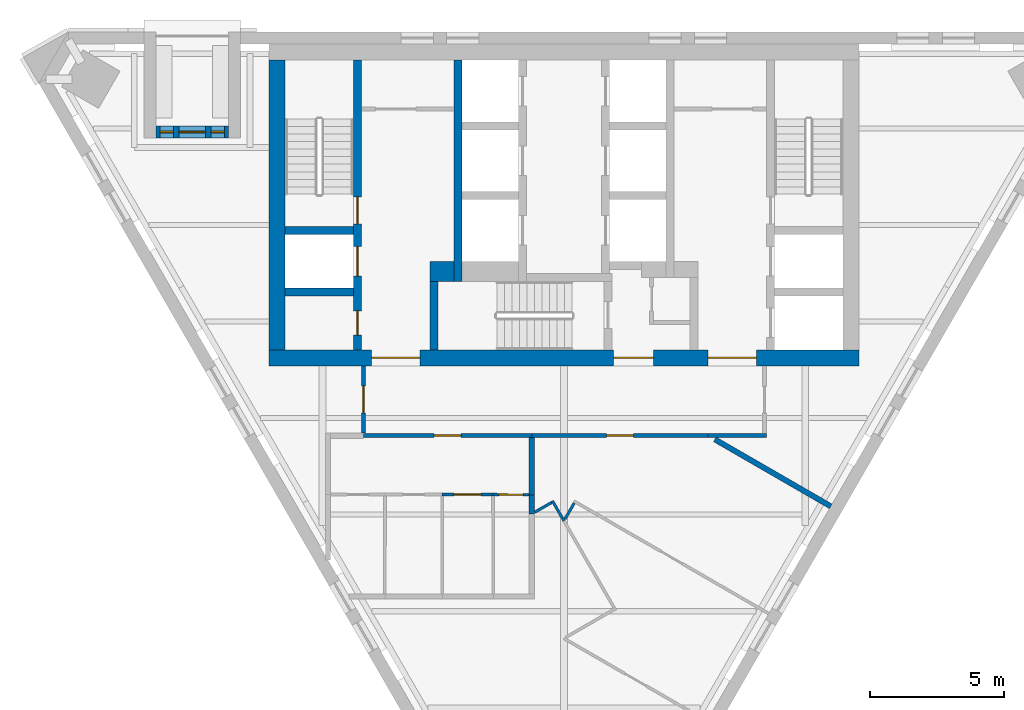
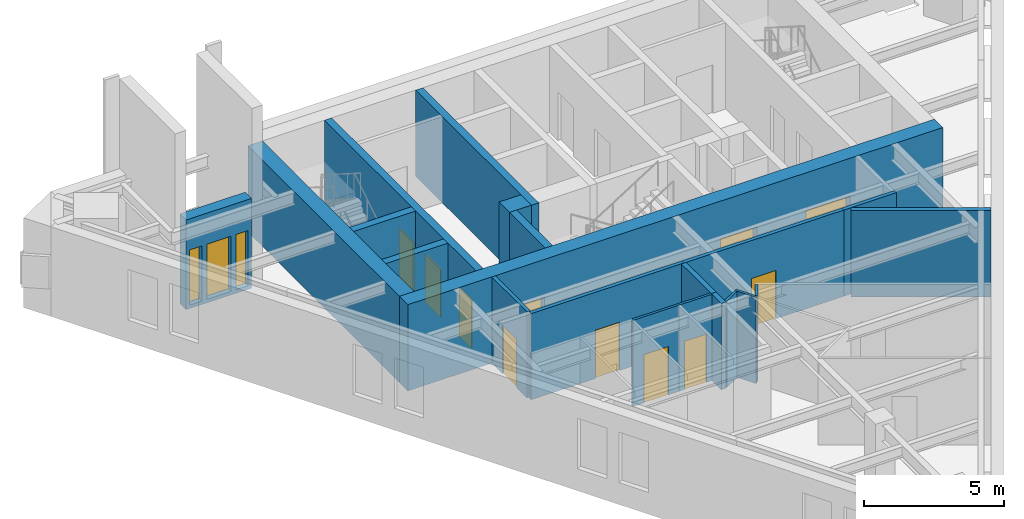
# One storey, part 3 of 6: 21 walls, 12 doors, 2 windows, 14 openings.
"""IFC4 building model written with IfcOpenShell, lengths in metres."""

from ifc_helpers import new_model, si_unit, direction, frame, frame_2d, origin, place, context, subcontext, project, spatial, rectangle, extrude, material, layer, layer_set, type_object, element, fill, save


model = new_model("IFC4")

# Units and contexts
model_context = context("Model", 3, precision=1e-05, world=origin(), true_north=direction((0.0, 1.0)))
body_context = subcontext(model_context, "Body", "Model", "MODEL_VIEW")
ifc_project = project(units=[si_unit("LENGTHUNIT", "METRE"), si_unit("AREAUNIT", "SQUARE_METRE"), si_unit("VOLUMEUNIT", "CUBIC_METRE"), si_unit("PLANEANGLEUNIT", "RADIAN"), si_unit("MASSUNIT", "GRAM", prefix="KILO")], contexts=[model_context])

# Site, building, storey
site_placement = place(None, origin())
site = spatial("IfcSite", under=ifc_project, at=site_placement, CompositionType="ELEMENT")
building_placement = place(site_placement, origin())
building = spatial("IfcBuilding", under=site, at=building_placement, Name="Aloe Facet Convention Tower", CompositionType="ELEMENT")
storey_placement = place(building_placement, frame((0.0, 0.0, 250.39990234375)))
storey = spatial("IfcBuildingStorey", under=building, at=storey_placement, Name="L61", CompositionType="ELEMENT", Elevation=250.39990234375)

# Walls
ifc_material_1 = material(Name="Concrete C50/60", Category="concrete")
ifc_layer_1 = layer(ifc_material_1, 0.300048828125)
ifc_layer_set_1 = layer_set([ifc_layer_1], Name="CR-W-RC300-C5060")
wall_type_1 = type_object("IfcWallType", Name="CR-W-RC300-C5060", PredefinedType="SOLIDWALL", material=ifc_layer_set_1)
for number, where, z_axis, x_axis, name in (
    (1, (69.60009765625, 127.60009765625, 0.0), (0.0, 0.0, 1.0), (1.0, 0.0, 0.0), "Core wall L61-004"),
    (2, (69.60009765625, 125.300048828125, 0.0), (0.0, 0.0, 1.0), (1.0, 0.0, 0.0), "Core wall L61-005"),
):
    element("IfcWall", number, at=place(storey_placement, frame(where, z_axis=z_axis, x_axis=x_axis)), inside=storey, type_object=wall_type_1, Name=name, PredefinedType="SOLIDWALL", context=body_context, shape_type="SweptSolid", body=[
        extrude(rectangle(XDim=2.5498046875, YDim=0.300048828125, at=frame_2d((1.27490234375, 0.0))), origin(), (0.0, 0.0, 1.0), 3.75),
    ])

# Wall, openings, doors
wall_1_placement = place(storey_placement, frame((72.300048828125, 133.949951171875, 0.0), z_axis=(0.0, 0.0, 1.0), x_axis=(0.0, -1.0, 0.0)))
wall_1 = element("IfcWall", 3, at=wall_1_placement, inside=storey, type_object=wall_type_1, Name="Core wall L61-006", PredefinedType="SOLIDWALL", context=body_context, shape_type="SweptSolid", body=[
    extrude(rectangle(XDim=10.800048828125, YDim=0.300048828125, at=frame_2d((5.39990234375, 0.0))), origin(), (0.0, 0.0, 1.0), 3.75),
])
opening_1_placement = place(wall_1_placement, frame((6.949951171875, 0.0, 0.0)))
opening_1 = element("IfcOpeningElement", 4, at=opening_1_placement, cuts=wall_1, Name="Opening LD-FF1-L61", PredefinedType="OPENING", context=body_context, shape_type="SweptSolid", body=[
    extrude(rectangle(XDim=1.10009765625, YDim=2.10009765625, at=frame_2d((0.550048828125, 1.050048828125))), frame((0.0, 0.16015625, 0.0), z_axis=(0.0, -1.0, 0.0), x_axis=(1.0, 0.0, 0.0)), (0.0, 0.0, 1.0), 0.320068359375),
])
opening_2_placement = place(wall_1_placement, frame((9.35009765625, 0.0, 0.0)))
opening_2 = element("IfcOpeningElement", 5, at=opening_2_placement, cuts=wall_1, Name="Opening L61-CD15", PredefinedType="OPENING", context=body_context, shape_type="SweptSolid", body=[
    extrude(rectangle(XDim=0.89990234375, YDim=2.10009765625, at=frame_2d((0.449951171875, 1.050048828125))), frame((0.0, 0.16015625, 0.0), z_axis=(0.0, -1.0, 0.0), x_axis=(1.0, 0.0, 0.0)), (0.0, 0.0, 1.0), 0.320068359375),
])
opening_3_placement = place(wall_1_placement, frame((5.10009765625, 0.0, 0.0)))
opening_3 = element("IfcOpeningElement", 6, at=opening_3_placement, cuts=wall_1, Name="Opening L61-CD16", PredefinedType="OPENING", context=body_context, shape_type="SweptSolid", body=[
    extrude(rectangle(XDim=1.0, YDim=2.10009765625, at=frame_2d((0.5, 1.050048828125))), frame((0.0, 0.16015625, 0.0), z_axis=(0.0, -1.0, 0.0), x_axis=(1.0, 0.0, 0.0)), (0.0, 0.0, 1.0), 0.320068359375),
])
ifc_material_2 = material(Name="Steel fire-resisting door set FD60", Category="steel")
door_type_1 = type_object("IfcDoorType", Name="CR-D-ROOM-900-FD60-SLEFT", OperationType="SINGLE_SWING_LEFT", PredefinedType="DOOR", material=ifc_material_2)
door_1_placement = place(opening_2_placement, origin())
door_1 = element("IfcDoor", 7, at=door_1_placement, inside=storey, type_object=door_type_1, Name="Core door L61-CD15", OperationType="SINGLE_SWING_LEFT", OverallHeight=2.10009765625, OverallWidth=0.89990234375, PredefinedType="DOOR", context=body_context, shape_type="SweptSolid", body=[
    extrude(rectangle(XDim=0.89990234375, YDim=2.10009765625, at=frame_2d((0.449951171875, 1.050048828125))), frame((0.0, 0.02490234375, 0.0), z_axis=(0.0, -1.0, 0.0), x_axis=(1.0, 0.0, 0.0)), (0.0, 0.0, 1.0), 0.050048828125),
])
fill(opening_2, door_1)
ifc_material_3 = material(Name="Steel fire-resisting door set FD120", Category="steel")
door_type_2 = type_object("IfcDoorType", Name="CR-D-STAIR-1000-FD120-SRIGHT", OperationType="SINGLE_SWING_RIGHT", PredefinedType="DOOR", material=ifc_material_3)
door_2_placement = place(opening_3_placement, origin())
door_2 = element("IfcDoor", 8, at=door_2_placement, inside=storey, type_object=door_type_2, Name="Core door L61-CD16", OperationType="SINGLE_SWING_RIGHT", OverallHeight=2.10009765625, OverallWidth=1.0, PredefinedType="DOOR", context=body_context, shape_type="SweptSolid", body=[
    extrude(rectangle(XDim=1.0, YDim=2.10009765625, at=frame_2d((0.5, 1.050048828125))), frame((0.0, 0.02490234375, 0.0), z_axis=(0.0, -1.0, 0.0), x_axis=(1.0, 0.0, 0.0)), (0.0, 0.0, 1.0), 0.050048828125),
])
fill(opening_3, door_2)
ifc_material_4 = material(Name="Stainless steel sliding landing door", Category="steel")
door_type_3 = type_object("IfcDoorType", Name="CR-LD-1100-FD120-_LEFT", OperationType="SLIDING_TO_LEFT", PredefinedType="DOOR", material=ifc_material_4)
door_3_placement = place(opening_1_placement, origin())
door_3 = element("IfcDoor", 9, at=door_3_placement, inside=storey, type_object=door_type_3, Name="Landing door FF1 L61", OperationType="SLIDING_TO_LEFT", OverallHeight=2.10009765625, OverallWidth=1.10009765625, PredefinedType="DOOR", context=body_context, shape_type="SweptSolid", body=[
    extrude(rectangle(XDim=1.10009765625, YDim=2.10009765625, at=frame_2d((0.550048828125, 1.050048828125))), frame((0.0, 0.02490234375, 0.0), z_axis=(0.0, -1.0, 0.0), x_axis=(1.0, 0.0, 0.0)), (0.0, 0.0, 1.0), 0.050048828125),
])
fill(opening_1, door_3)

# Walls
wall_2_placement = place(storey_placement, frame((75.14990234375, 125.699951171875, 0.0), z_axis=(0.0, 0.0, 1.0), x_axis=(0.0, -1.0, 0.0)))
element("IfcWall", 10, at=wall_2_placement, inside=storey, type_object=wall_type_1, Name="Core wall L61-009", PredefinedType="SOLIDWALL", context=body_context, shape_type="SweptSolid", body=[
    extrude(rectangle(XDim=2.550048828125, YDim=0.300048828125, at=frame_2d((1.27490234375, 0.0))), origin(), (0.0, 0.0, 1.0), 3.75),
])
wall_3_placement = place(storey_placement, frame((76.050048828125, 133.949951171875, 0.0), z_axis=(0.0, 0.0, 1.0), x_axis=(0.0, -1.0, 0.0)))
element("IfcWall", 11, at=wall_3_placement, inside=storey, type_object=wall_type_1, Name="Core wall L61-010", PredefinedType="SOLIDWALL", context=body_context, shape_type="SweptSolid", body=[
    extrude(rectangle(XDim=8.25, YDim=0.300048828125, at=frame_2d((4.125, 0.0))), origin(), (0.0, 0.0, 1.0), 3.75),
])
ifc_material_5 = material(Name="Concrete C50/60", Category="concrete")
ifc_layer_2 = layer(ifc_material_5, 0.60009765625)
ifc_layer_set_2 = layer_set([ifc_layer_2], Name="CR-W-RC600-C5060")
wall_type_2 = type_object("IfcWallType", Name="CR-W-RC600-C5060", PredefinedType="SOLIDWALL", material=ifc_layer_set_2)
wall_4_placement = place(storey_placement, frame((69.300048828125, 133.949951171875, 0.0), z_axis=(0.0, 0.0, 1.0), x_axis=(0.0, -1.0, 0.0)))
element("IfcWall", 12, at=wall_4_placement, inside=storey, type_object=wall_type_2, Name="Core wall L61-002", PredefinedType="SOLIDWALL", context=body_context, shape_type="SweptSolid", body=[
    extrude(rectangle(XDim=10.800048828125, YDim=0.60009765625, at=frame_2d((5.39990234375, 0.0))), origin(), (0.0, 0.0, 1.0), 3.75),
])

# Wall, openings, doors
wall_5_placement = place(storey_placement, frame((69.0, 122.85009765625, 0.0), z_axis=(0.0, 0.0, 1.0), x_axis=(1.0, 0.0, 0.0)))
wall_5 = element("IfcWall", 13, at=wall_5_placement, inside=storey, type_object=wall_type_2, Name="Core wall L61-003", PredefinedType="SOLIDWALL", context=body_context, shape_type="SweptSolid", body=[
    extrude(rectangle(XDim=22.0, YDim=0.60009765625, at=frame_2d((11.0, 0.0))), origin(), (0.0, 0.0, 1.0), 3.75),
])
opening_4_placement = place(wall_5_placement, frame((16.375, 0.0, 0.0)))
opening_4 = element("IfcOpeningElement", 14, at=opening_4_placement, cuts=wall_5, Name="Opening L61-CD09", PredefinedType="OPENING", context=body_context, shape_type="SweptSolid", body=[
    extrude(rectangle(XDim=1.800048828125, YDim=2.10009765625, at=frame_2d((0.89990234375, 1.050048828125))), frame((0.0, 0.31005859375, 0.0), z_axis=(0.0, -1.0, 0.0), x_axis=(1.0, 0.0, 0.0)), (0.0, 0.0, 1.0), 0.6201171875),
])
opening_5_placement = place(wall_5_placement, frame((3.824951171875, 0.0, 0.0)))
opening_5 = element("IfcOpeningElement", 15, at=opening_5_placement, cuts=wall_5, Name="Opening L61-CD10", PredefinedType="OPENING", context=body_context, shape_type="SweptSolid", body=[
    extrude(rectangle(XDim=1.800048828125, YDim=2.10009765625, at=frame_2d((0.89990234375, 1.050048828125))), frame((0.0, 0.31005859375, 0.0), z_axis=(0.0, -1.0, 0.0), x_axis=(1.0, 0.0, 0.0)), (0.0, 0.0, 1.0), 0.6201171875),
])
opening_6_placement = place(wall_5_placement, frame((12.85009765625, 0.0, 0.0)))
opening_6 = element("IfcOpeningElement", 16, at=opening_6_placement, cuts=wall_5, Name="Opening L61-CD11", PredefinedType="OPENING", context=body_context, shape_type="SweptSolid", body=[
    extrude(rectangle(XDim=1.5, YDim=2.10009765625, at=frame_2d((0.75, 1.050048828125))), frame((0.0, 0.31005859375, 0.0), z_axis=(0.0, -1.0, 0.0), x_axis=(1.0, 0.0, 0.0)), (0.0, 0.0, 1.0), 0.6201171875),
])
ifc_material_6 = material(Name="Steel fire-resisting door set FD60", Category="steel")
door_type_4 = type_object("IfcDoorType", Name="CR-D-EXIT-1500-FD60-DD", OperationType="DOUBLE_DOOR_DOUBLE_SWING", PredefinedType="DOOR", material=ifc_material_6)
door_4_placement = place(opening_6_placement, origin())
door_4 = element("IfcDoor", 17, at=door_4_placement, inside=storey, type_object=door_type_4, Name="Core door L61-CD11", OperationType="DOUBLE_DOOR_DOUBLE_SWING", OverallHeight=2.10009765625, OverallWidth=1.5, PredefinedType="DOOR", context=body_context, shape_type="SweptSolid", body=[
    extrude(rectangle(XDim=1.5, YDim=2.10009765625, at=frame_2d((0.75, 1.050048828125))), frame((0.0, 0.02490234375, 0.0), z_axis=(0.0, -1.0, 0.0), x_axis=(1.0, 0.0, 0.0)), (0.0, 0.0, 1.0), 0.050048828125),
])
fill(opening_6, door_4)
ifc_material_7 = material(Name="Steel fire-resisting door set FD120", Category="steel")
door_type_5 = type_object("IfcDoorType", Name="CR-D-EXIT-1800-FD120-DD", OperationType="DOUBLE_DOOR_DOUBLE_SWING", PredefinedType="DOOR", material=ifc_material_7)
door_5_placement = place(opening_4_placement, origin())
door_5 = element("IfcDoor", 18, at=door_5_placement, inside=storey, type_object=door_type_5, Name="Core door L61-CD09", OperationType="DOUBLE_DOOR_DOUBLE_SWING", OverallHeight=2.10009765625, OverallWidth=1.800048828125, PredefinedType="DOOR", context=body_context, shape_type="SweptSolid", body=[
    extrude(rectangle(XDim=1.800048828125, YDim=2.10009765625, at=frame_2d((0.89990234375, 1.050048828125))), frame((0.0, 0.02490234375, 0.0), z_axis=(0.0, -1.0, 0.0), x_axis=(1.0, 0.0, 0.0)), (0.0, 0.0, 1.0), 0.050048828125),
])
fill(opening_4, door_5)
door_6_placement = place(opening_5_placement, origin())
door_6 = element("IfcDoor", 19, at=door_6_placement, inside=storey, type_object=door_type_5, Name="Core door L61-CD10", OperationType="DOUBLE_DOOR_DOUBLE_SWING", OverallHeight=2.10009765625, OverallWidth=1.800048828125, PredefinedType="DOOR", context=body_context, shape_type="SweptSolid", body=[
    extrude(rectangle(XDim=1.800048828125, YDim=2.10009765625, at=frame_2d((0.89990234375, 1.050048828125))), frame((0.0, 0.02490234375, 0.0), z_axis=(0.0, -1.0, 0.0), x_axis=(1.0, 0.0, 0.0)), (0.0, 0.0, 1.0), 0.050048828125),
])
fill(opening_5, door_6)

# Wall
ifc_material_8 = material(Name="Concrete C50/60", Category="concrete")
ifc_layer_3 = layer(ifc_material_8, 0.75)
ifc_layer_set_3 = layer_set([ifc_layer_3], Name="CR-W-RC750-C5060")
wall_type_3 = type_object("IfcWallType", Name="CR-W-RC750-C5060", PredefinedType="SOLIDWALL", material=ifc_layer_set_3)
wall_6_placement = place(storey_placement, frame((75.0, 126.074951171875, 0.0), z_axis=(0.0, 0.0, 1.0), x_axis=(1.0, 0.0, 0.0)))
element("IfcWall", 20, at=wall_6_placement, inside=storey, type_object=wall_type_3, Name="Core wall L61-008", PredefinedType="SOLIDWALL", context=body_context, shape_type="SweptSolid", body=[
    extrude(rectangle(XDim=0.89990234375, YDim=0.75, at=frame_2d((0.449951171875, 0.0))), origin(), (0.0, 0.0, 1.0), 3.75),
])

# Wall, openings, door, windows
ifc_material_9 = material(Name="Precast concrete C40/50", Category="concrete")
ifc_layer_4 = layer(ifc_material_9, 0.449951171875)
ifc_layer_set_4 = layer_set([ifc_layer_4], Name="EV-WALL-STONE")
wall_type_4 = type_object("IfcWallType", Name="EV-WALL-STONE", PredefinedType="SOLIDWALL", material=ifc_layer_set_4)
wall_7_placement = place(storey_placement, frame((67.4853515625, 131.27490234375, -0.14990234375), z_axis=(0.0, 0.0, 1.0), x_axis=(-1.0, 0.0, 0.0)))
wall_7 = element("IfcWall", 21, at=wall_7_placement, inside=storey, type_object=wall_type_4, Name="TB-T13-L61", PredefinedType="SOLIDWALL", context=body_context, shape_type="SweptSolid", body=[
    extrude(rectangle(XDim=2.699951171875, YDim=0.449951171875, at=frame_2d((1.35009765625, 0.0))), origin(), (0.0, 0.0, 1.0), 3.89990234375),
])
opening_7_placement = place(wall_7_placement, frame((0.85009765625, 0.0, 0.14990234375)))
opening_7 = element("IfcOpeningElement", 22, at=opening_7_placement, cuts=wall_7, Name="Opening D-T13", PredefinedType="OPENING", context=body_context, shape_type="SweptSolid", body=[
    extrude(rectangle(XDim=1.0, YDim=2.39990234375, at=frame_2d((0.5, 1.199951171875))), frame((0.0, 0.23486328125, 0.0), z_axis=(0.0, -1.0, 0.0), x_axis=(1.0, 0.0, 0.0)), (0.0, 0.0, 1.0), 0.469970703125),
])
opening_8_placement = place(wall_7_placement, frame((0.14990234375, 0.0, 0.14990234375)))
opening_8 = element("IfcOpeningElement", 23, at=opening_8_placement, cuts=wall_7, Name="Opening G-T13-1", PredefinedType="OPENING", context=body_context, shape_type="SweptSolid", body=[
    extrude(rectangle(XDim=0.5, YDim=2.39990234375, at=frame_2d((0.25, 1.199951171875))), frame((0.0, 0.23486328125, 0.0), z_axis=(0.0, -1.0, 0.0), x_axis=(1.0, 0.0, 0.0)), (0.0, 0.0, 1.0), 0.469970703125),
])
opening_9_placement = place(wall_7_placement, frame((2.050048828125, 0.0, 0.14990234375)))
opening_9 = element("IfcOpeningElement", 24, at=opening_9_placement, cuts=wall_7, Name="Opening G-T13-2", PredefinedType="OPENING", context=body_context, shape_type="SweptSolid", body=[
    extrude(rectangle(XDim=0.5, YDim=2.39990234375, at=frame_2d((0.25, 1.199951171875))), frame((0.0, 0.23486328125, 0.0), z_axis=(0.0, -1.0, 0.0), x_axis=(1.0, 0.0, 0.0)), (0.0, 0.0, 1.0), 0.469970703125),
])
ifc_material_10 = material(Name="Aluminium frame, clear double glazing", Category="aluminium")
door_type_6 = type_object("IfcDoorType", Name="EV-DOOR-TERR", OperationType="SINGLE_SWING_LEFT", PredefinedType="DOOR", material=ifc_material_10)
door_7_placement = place(opening_7_placement, origin())
door_7 = element("IfcDoor", 25, at=door_7_placement, inside=storey, type_object=door_type_6, Name="D-T13", OperationType="SINGLE_SWING_LEFT", OverallHeight=2.39990234375, OverallWidth=1.0, PredefinedType="DOOR", context=body_context, shape_type="SweptSolid", body=[
    extrude(rectangle(XDim=1.0, YDim=2.39990234375, at=frame_2d((0.5, 1.199951171875))), frame((0.0, 0.02490234375, 0.0), z_axis=(0.0, -1.0, 0.0), x_axis=(1.0, 0.0, 0.0)), (0.0, 0.0, 1.0), 0.050048828125),
])
fill(opening_7, door_7)
ifc_material_11 = material(Name="Aluminium frame, clear double glazing", Category="aluminium")
window_type = type_object("IfcWindowType", Name="EV-WIN-SL50", PartitioningType="SINGLE_PANEL", PredefinedType="WINDOW", material=ifc_material_11)
window_1_placement = place(opening_8_placement, origin())
window_1 = element("IfcWindow", 26, at=window_1_placement, inside=storey, type_object=window_type, Name="G-T13-1", OverallHeight=2.39990234375, OverallWidth=0.5, PartitioningType="SINGLE_PANEL", PredefinedType="WINDOW", context=body_context, shape_type="SweptSolid", body=[
    extrude(rectangle(XDim=0.5, YDim=2.39990234375, at=frame_2d((0.25, 1.199951171875))), frame((0.0, 0.030029296875, 0.0), z_axis=(0.0, -1.0, 0.0), x_axis=(1.0, 0.0, 0.0)), (0.0, 0.0, 1.0), 0.06005859375),
])
fill(opening_8, window_1)
window_2_placement = place(opening_9_placement, origin())
window_2 = element("IfcWindow", 27, at=window_2_placement, inside=storey, type_object=window_type, Name="G-T13-2", OverallHeight=2.39990234375, OverallWidth=0.5, PartitioningType="SINGLE_PANEL", PredefinedType="WINDOW", context=body_context, shape_type="SweptSolid", body=[
    extrude(rectangle(XDim=0.5, YDim=2.39990234375, at=frame_2d((0.25, 1.199951171875))), frame((0.0, 0.030029296875, 0.0), z_axis=(0.0, -1.0, 0.0), x_axis=(1.0, 0.0, 0.0)), (0.0, 0.0, 1.0), 0.06005859375),
])
fill(opening_9, window_2)

# Wall, opening, door
ifc_material_12 = material(Name="Gypsum board partition on steel studs", Category="steel")
ifc_layer_5 = layer(ifc_material_12, 0.14990234375)
ifc_layer_set_5 = layer_set([ifc_layer_5], Name="IN-W-CORR")
wall_type_5 = type_object("IfcWallType", Name="IN-W-CORR", PredefinedType="PARTITIONING", material=ifc_layer_set_5)
wall_8_placement = place(storey_placement, frame((72.52490234375, 120.050048828125, 0.0), z_axis=(0.0, 0.0, 1.0), x_axis=(0.0, 1.0, 0.0)))
wall_8 = element("IfcWall", 28, at=wall_8_placement, inside=storey, type_object=wall_type_5, Name="Partition L61-W026", PredefinedType="PARTITIONING", context=body_context, shape_type="SweptSolid", body=[
    extrude(rectangle(XDim=2.5, YDim=0.14990234375, at=frame_2d((1.25, 0.0))), origin(), (0.0, 0.0, 1.0), 3.75),
])
opening_10_placement = place(wall_8_placement, frame((0.75, 0.0, 0.0)))
opening_10 = element("IfcOpeningElement", 29, at=opening_10_placement, cuts=wall_8, Name="Opening L61-006", PredefinedType="OPENING", context=body_context, shape_type="SweptSolid", body=[
    extrude(rectangle(XDim=1.0, YDim=2.10009765625, at=frame_2d((0.5, 1.050048828125))), frame((0.0, 0.0849609375, 0.0), z_axis=(0.0, -1.0, 0.0), x_axis=(1.0, 0.0, 0.0)), (0.0, 0.0, 1.0), 0.169921875),
])
ifc_material_13 = material(Name="Timber door FD30S with vision panel", Category="wood")
door_type_7 = type_object("IfcDoorType", Name="IN-OFF-D-ENTRY", OperationType="SINGLE_SWING_LEFT", PredefinedType="DOOR", material=ifc_material_13)
door_8_placement = place(opening_10_placement, origin())
door_8 = element("IfcDoor", 30, at=door_8_placement, inside=storey, type_object=door_type_7, Name="Door L61-006", OperationType="SINGLE_SWING_LEFT", OverallHeight=2.10009765625, OverallWidth=1.0, PredefinedType="DOOR", context=body_context, shape_type="SweptSolid", body=[
    extrude(rectangle(XDim=1.0, YDim=2.10009765625, at=frame_2d((0.5, 1.050048828125))), frame((0.0, 0.02490234375, 0.0), z_axis=(0.0, -1.0, 0.0), x_axis=(1.0, 0.0, 0.0)), (0.0, 0.0, 1.0), 0.050048828125),
])
fill(opening_10, door_8)

wall_9_placement = place(storey_placement, frame((72.52490234375, 119.949951171875, 0.0), z_axis=(0.0, 0.0, 1.0), x_axis=(1.0, 0.0, 0.0)))
wall_9 = element("IfcWall", 31, at=wall_9_placement, inside=storey, type_object=wall_type_5, Name="Partition L61-W027", PredefinedType="PARTITIONING", context=body_context, shape_type="SweptSolid", body=[
    extrude(rectangle(XDim=6.275146484375, YDim=0.14990234375, at=frame_2d((3.1376953125, 0.0))), origin(), (0.0, 0.0, 1.0), 3.75),
])
opening_11_placement = place(wall_9_placement, frame((2.637451171875, 0.0, 0.0)))
opening_11 = element("IfcOpeningElement", 32, at=opening_11_placement, cuts=wall_9, Name="Opening L61-001", PredefinedType="OPENING", context=body_context, shape_type="SweptSolid", body=[
    extrude(rectangle(XDim=1.0, YDim=2.10009765625, at=frame_2d((0.5, 1.050048828125))), frame((0.0, 0.0849609375, 0.0), z_axis=(0.0, -1.0, 0.0), x_axis=(1.0, 0.0, 0.0)), (0.0, 0.0, 1.0), 0.169921875),
])
door_9_placement = place(opening_11_placement, origin())
door_9 = element("IfcDoor", 33, at=door_9_placement, inside=storey, type_object=door_type_7, Name="Door L61-001", OperationType="SINGLE_SWING_LEFT", OverallHeight=2.10009765625, OverallWidth=1.0, PredefinedType="DOOR", context=body_context, shape_type="SweptSolid", body=[
    extrude(rectangle(XDim=1.0, YDim=2.10009765625, at=frame_2d((0.5, 1.050048828125))), frame((0.0, 0.02490234375, 0.0), z_axis=(0.0, -1.0, 0.0), x_axis=(1.0, 0.0, 0.0)), (0.0, 0.0, 1.0), 0.050048828125),
])
fill(opening_11, door_9)

wall_10_placement = place(storey_placement, frame((78.800048828125, 119.949951171875, 0.0), z_axis=(0.0, 0.0, 1.0), x_axis=(1.0, 0.0, 0.0)))
wall_10 = element("IfcWall", 34, at=wall_10_placement, inside=storey, type_object=wall_type_5, Name="Partition L61-W028", PredefinedType="PARTITIONING", context=body_context, shape_type="SweptSolid", body=[
    extrude(rectangle(XDim=6.581298828125, YDim=0.14990234375, at=frame_2d((3.29052734375, 0.0))), origin(), (0.0, 0.0, 1.0), 3.75),
])
opening_12_placement = place(wall_10_placement, frame((2.79052734375, 0.0, 0.0)))
opening_12 = element("IfcOpeningElement", 35, at=opening_12_placement, cuts=wall_10, Name="Opening L61-009", PredefinedType="OPENING", context=body_context, shape_type="SweptSolid", body=[
    extrude(rectangle(XDim=1.0, YDim=2.10009765625, at=frame_2d((0.5, 1.050048828125))), frame((0.0, 0.0849609375, 0.0), z_axis=(0.0, -1.0, 0.0), x_axis=(1.0, 0.0, 0.0)), (0.0, 0.0, 1.0), 0.169921875),
])
door_10_placement = place(opening_12_placement, origin())
door_10 = element("IfcDoor", 36, at=door_10_placement, inside=storey, type_object=door_type_7, Name="Door L61-009", OperationType="SINGLE_SWING_LEFT", OverallHeight=2.10009765625, OverallWidth=1.0, PredefinedType="DOOR", context=body_context, shape_type="SweptSolid", body=[
    extrude(rectangle(XDim=1.0, YDim=2.10009765625, at=frame_2d((0.5, 1.050048828125))), frame((0.0, 0.02490234375, 0.0), z_axis=(0.0, -1.0, 0.0), x_axis=(1.0, 0.0, 0.0)), (0.0, 0.0, 1.0), 0.050048828125),
])
fill(opening_12, door_10)

# Walls
wall_11_placement = place(storey_placement, frame((85.38134765625, 119.949951171875, 0.0), z_axis=(0.0, 0.0, 1.0), x_axis=(1.0, 0.0, 0.0)))
element("IfcWall", 37, at=wall_11_placement, inside=storey, type_object=wall_type_5, Name="Partition L61-W029", PredefinedType="PARTITIONING", context=body_context, shape_type="SweptSolid", body=[
    extrude(rectangle(XDim=2.168701171875, YDim=0.14990234375, at=frame_2d((1.08447265625, 0.0))), origin(), (0.0, 0.0, 1.0), 3.75),
])
ifc_material_14 = material(Name="Gypsum board partition on steel studs", Category="steel")
ifc_layer_6 = layer(ifc_material_14, 0.10009765625)
ifc_layer_set_6 = layer_set([ifc_layer_6], Name="IN-W-PART")
wall_type_6 = type_object("IfcWallType", Name="IN-W-PART", PredefinedType="PARTITIONING", material=ifc_layer_set_6)
wall_12_placement = place(storey_placement, frame((79.56982421875, 117.515869140625, 0.0), z_axis=(0.0, 0.0, 1.0), x_axis=(0.499861615673, -0.866105285272, 0.0)))
element("IfcWall", 38, at=wall_12_placement, inside=storey, type_object=wall_type_6, Name="Partition L61-W010", PredefinedType="PARTITIONING", context=body_context, shape_type="SweptSolid", body=[
    extrude(rectangle(XDim=0.860595703125, YDim=0.10009765625, at=frame_2d((0.43017578125, 0.0))), origin(), (0.0, 0.0, 1.0), 3.75),
])
wall_13_placement = place(storey_placement, frame((80.040283203125, 116.839599609375, 0.0), z_axis=(0.0, 0.0, 1.0), x_axis=(0.501867975937, 0.86494423793, 0.0)))
element("IfcWall", 39, at=wall_13_placement, inside=storey, type_object=wall_type_6, Name="Partition L61-W013", PredefinedType="PARTITIONING", context=body_context, shape_type="SweptSolid", body=[
    extrude(rectangle(XDim=0.6826171875, YDim=0.10009765625, at=frame_2d((0.34130859375, 0.0))), origin(), (0.0, 0.0, 1.0), 3.75),
])
wall_14_placement = place(storey_placement, frame((78.912841796875, 117.09228515625, 0.0), z_axis=(0.0, 0.0, 1.0), x_axis=(0.867068692485, 0.498188601347, 0.0)))
element("IfcWall", 40, at=wall_14_placement, inside=storey, type_object=wall_type_6, Name="Partition L61-W014", PredefinedType="PARTITIONING", context=body_context, shape_type="SweptSolid", body=[
    extrude(rectangle(XDim=0.730712890625, YDim=0.10009765625, at=frame_2d((0.365234375, 0.0))), origin(), (0.0, 0.0, 1.0), 3.75),
])

# Wall, opening, door
wall_15_placement = place(storey_placement, frame((75.4560546875, 117.75, 0.0), z_axis=(0.0, 0.0, 1.0), x_axis=(1.0, 0.0, 0.0)))
wall_15 = element("IfcWall", 41, at=wall_15_placement, inside=storey, type_object=wall_type_6, Name="Partition L61-W021", PredefinedType="PARTITIONING", context=body_context, shape_type="SweptSolid", body=[
    extrude(rectangle(XDim=1.89990234375, YDim=0.10009765625, at=frame_2d((0.949951171875, 0.0))), origin(), (0.0, 0.0, 1.0), 3.75),
])
opening_13_placement = place(wall_15_placement, frame((0.449951171875, 0.0, 0.0)))
opening_13 = element("IfcOpeningElement", 42, at=opening_13_placement, cuts=wall_15, Name="Opening L61-004", PredefinedType="OPENING", context=body_context, shape_type="SweptSolid", body=[
    extrude(rectangle(XDim=1.0, YDim=2.10009765625, at=frame_2d((0.5, 1.050048828125))), frame((0.0, 0.06005859375, 0.0), z_axis=(0.0, -1.0, 0.0), x_axis=(1.0, 0.0, 0.0)), (0.0, 0.0, 1.0), 0.1201171875),
])
ifc_material_15 = material(Name="Timber door", Category="wood")
door_type_8 = type_object("IfcDoorType", Name="IN-OFF-D-WIDE", OperationType="SINGLE_SWING_LEFT", PredefinedType="DOOR", material=ifc_material_15)
door_11_placement = place(opening_13_placement, origin())
door_11 = element("IfcDoor", 43, at=door_11_placement, inside=storey, type_object=door_type_8, Name="Door L61-004", OperationType="SINGLE_SWING_LEFT", OverallHeight=2.10009765625, OverallWidth=1.0, PredefinedType="DOOR", context=body_context, shape_type="SweptSolid", body=[
    extrude(rectangle(XDim=1.0, YDim=2.10009765625, at=frame_2d((0.5, 1.050048828125))), frame((0.0, 0.02490234375, 0.0), z_axis=(0.0, -1.0, 0.0), x_axis=(1.0, 0.0, 0.0)), (0.0, 0.0, 1.0), 0.050048828125),
])
fill(opening_13, door_11)

wall_16_placement = place(storey_placement, frame((77.35595703125, 117.75, 0.0), z_axis=(0.0, 0.0, 1.0), x_axis=(0.99997617642, -0.006902651172, 0.0)))
wall_16 = element("IfcWall", 44, at=wall_16_placement, inside=storey, type_object=wall_type_6, Name="Partition L61-W022", PredefinedType="PARTITIONING", context=body_context, shape_type="SweptSolid", body=[
    extrude(rectangle(XDim=1.343994140625, YDim=0.10009765625, at=frame_2d((0.671875, 0.0))), origin(), (0.0, 0.0, 1.0), 3.75),
])
opening_14_placement = place(wall_16_placement, frame((0.221923828125, 0.0, 0.0)))
opening_14 = element("IfcOpeningElement", 45, at=opening_14_placement, cuts=wall_16, Name="Opening L61-005", PredefinedType="OPENING", context=body_context, shape_type="SweptSolid", body=[
    extrude(rectangle(XDim=0.89990234375, YDim=2.10009765625, at=frame_2d((0.449951171875, 1.050048828125))), frame((0.0, 0.06005859375, 0.0), z_axis=(0.0, -1.0, 0.0), x_axis=(1.0, 0.0, 0.0)), (0.0, 0.0, 1.0), 0.1201171875),
])
ifc_material_16 = material(Name="Timber door", Category="wood")
door_type_9 = type_object("IfcDoorType", Name="IN-OFF-D-ROOM", OperationType="SINGLE_SWING_LEFT", PredefinedType="DOOR", material=ifc_material_16)
door_12_placement = place(opening_14_placement, origin())
door_12 = element("IfcDoor", 46, at=door_12_placement, inside=storey, type_object=door_type_9, Name="Door L61-005", OperationType="SINGLE_SWING_LEFT", OverallHeight=2.10009765625, OverallWidth=0.89990234375, PredefinedType="DOOR", context=body_context, shape_type="SweptSolid", body=[
    extrude(rectangle(XDim=0.89990234375, YDim=2.10009765625, at=frame_2d((0.449951171875, 1.050048828125))), frame((0.0, 0.02490234375, 0.0), z_axis=(0.0, -1.0, 0.0), x_axis=(1.0, 0.0, 0.0)), (0.0, 0.0, 1.0), 0.050048828125),
])
fill(opening_14, door_12)

# Walls
ifc_material_17 = material(Name="Gypsum board partition on steel studs", Category="steel")
ifc_layer_7 = layer(ifc_material_17, 0.199951171875)
ifc_layer_set_7 = layer_set([ifc_layer_7], Name="IN-W-PARTY")
wall_type_7 = type_object("IfcWallType", Name="IN-W-PARTY", PredefinedType="PARTITIONING", material=ifc_layer_set_7)
wall_17_placement = place(storey_placement, frame((78.800048828125, 117.02734375, 0.0), z_axis=(0.0, 0.0, 1.0), x_axis=(0.0, 1.0, 0.0)))
element("IfcWall", 47, at=wall_17_placement, inside=storey, type_object=wall_type_7, Name="Partition L61-W011", PredefinedType="PARTITIONING", context=body_context, shape_type="SweptSolid", body=[
    extrude(rectangle(XDim=0.712646484375, YDim=0.199951171875, at=frame_2d((0.3564453125, 0.0))), origin(), (0.0, 0.0, 1.0), 3.75),
])
wall_18_placement = place(storey_placement, frame((85.628173828125, 119.807373046875, 0.0), z_axis=(0.0, 0.0, 1.0), x_axis=(0.866032544947, -0.499987630939, 0.0)))
element("IfcWall", 48, at=wall_18_placement, inside=storey, type_object=wall_type_7, Name="Partition L61-W012", PredefinedType="PARTITIONING", context=body_context, shape_type="SweptSolid", body=[
    extrude(rectangle(XDim=4.994384765625, YDim=0.199951171875, at=frame_2d((2.4970703125, 0.0))), origin(), (0.0, 0.0, 1.0), 3.75),
])
wall_19_placement = place(storey_placement, frame((78.800048828125, 117.739990234375, 0.0), z_axis=(0.0, 0.0, 1.0), x_axis=(0.0, 1.0, 0.0)))
element("IfcWall", 49, at=wall_19_placement, inside=storey, type_object=wall_type_7, Name="Partition L61-W015", PredefinedType="PARTITIONING", context=body_context, shape_type="SweptSolid", body=[
    extrude(rectangle(XDim=2.135009765625, YDim=0.199951171875, at=frame_2d((1.0673828125, 0.0))), origin(), (0.0, 0.0, 1.0), 3.75),
])

save(model, "model.ifc")
